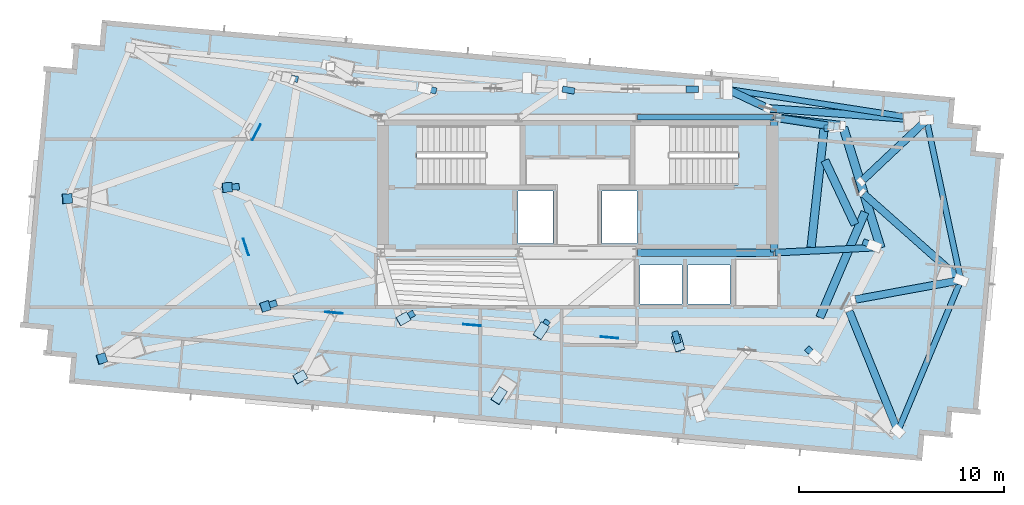
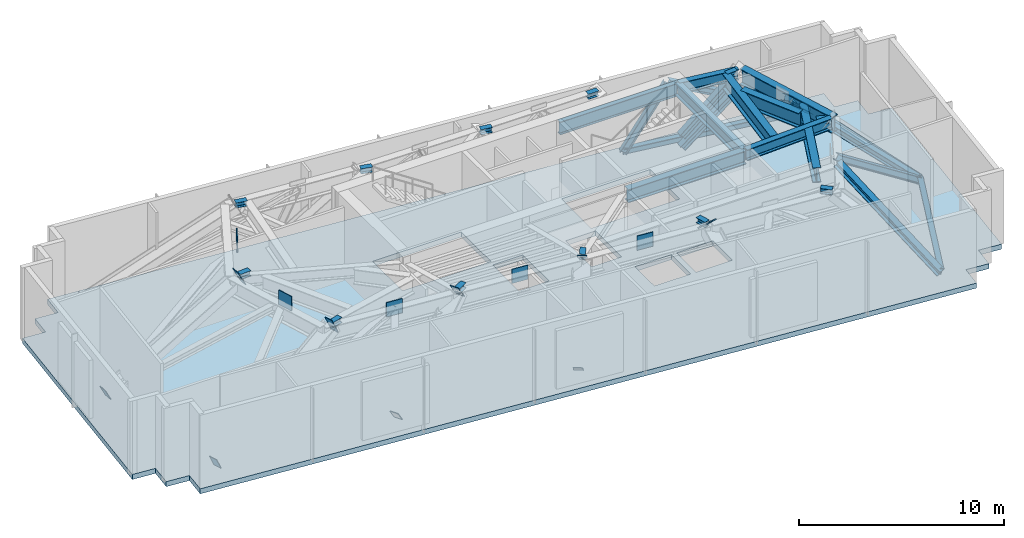
# One storey, part 3 of 9: 21 beams, 14 plates, 11 members, 1 slab.
"""IFC4 building model written with IfcOpenShell, lengths in metres."""

from ifc_helpers import new_model, si_unit, direction, frame, origin, origin_2d, place, context, subcontext, project, spatial, polyline, rectangle, i_section, outline, extrude, source, transform, mapped, material, layer, layer_set, material_profile, profile_set, type_object, type_shapes, element, save


model = new_model("IFC4")

# Units and contexts
model_context = context("Model", 3, precision=1e-05, world=origin(), true_north=direction((0.0, 1.0)))
body_context = subcontext(model_context, "Body", "Model", "MODEL_VIEW")
ifc_project = project(units=[si_unit("LENGTHUNIT", "METRE"), si_unit("AREAUNIT", "SQUARE_METRE"), si_unit("VOLUMEUNIT", "CUBIC_METRE"), si_unit("PLANEANGLEUNIT", "RADIAN"), si_unit("MASSUNIT", "GRAM", prefix="KILO")], contexts=[model_context])

# Site, building, storey
site_placement = place(None, origin())
site = spatial("IfcSite", under=ifc_project, at=site_placement, CompositionType="ELEMENT")
building_placement = place(site_placement, origin())
building = spatial("IfcBuilding", under=site, at=building_placement, Name="Astriad Promenade Condominiums", CompositionType="ELEMENT")
storey_placement = place(building_placement, frame((0.0, 0.0, 259.5)))
storey = spatial("IfcBuildingStorey", under=building, at=storey_placement, Name="L75", CompositionType="ELEMENT", Elevation=259.5)

# Beams
ifc_material_1 = material(Name="Steel ASTM A992 Grade 50", Category="steel")
ifc_material_profile_1 = material_profile(ifc_material_1, i_section(OverallWidth=0.3837890625, OverallDepth=0.785888671875, WebThickness=0.019775390625, FlangeThickness=0.033447265625, FilletRadius=0.021484375, at=origin_2d()), Name="W30X211")
ifc_profile_set_1 = profile_set([ifc_material_profile_1], Name="Steel ASTM A992 Grade 50")
beam_type_1 = type_object("IfcBeamType", Name="STEEL FLOOR GIRDER W30X211", PredefinedType="BEAM", material=ifc_profile_set_1)
shared_shape_1 = source(origin(), body_context, "Body", "SweptSolid", [
    extrude(i_section(OverallWidth=0.3837890625, OverallDepth=0.785888671875, WebThickness=0.019775390625, FlangeThickness=0.033447265625, FilletRadius=0.021484375, at=origin_2d()), origin(), (0.0, 0.0, 1.0), 6.64013671875),
])
type_shapes(beam_type_1, [shared_shape_1])
beam_1_placement = place(storey_placement, frame((38.919921875, 17.39990234375, 3.987060546875), z_axis=(1.0, 0.0, 0.0), x_axis=(0.0, 1.0, 0.0)))
element("IfcBeam", 1, at=beam_1_placement, inside=storey, type_object=beam_type_1, Name="Core Ring Beam CG-S3-L75", PredefinedType="BEAM", context=body_context, shape_type="MappedRepresentation", body=[
    mapped(shared_shape_1, transform((0.0, 0.0, 0.0), scale=1.0)),
])
ifc_material_profile_2 = material_profile(ifc_material_1, i_section(OverallWidth=0.267822265625, OverallDepth=0.76953125, WebThickness=0.015625, FlangeThickness=0.025390625, FilletRadius=0.021484375, at=origin_2d()), Name="W30X132")
ifc_profile_set_2 = profile_set([ifc_material_profile_2], Name="Steel ASTM A992 Grade 50")
beam_type_2 = type_object("IfcBeamType", Name="STEEL FLOOR GIRDER W30X132", PredefinedType="BEAM", material=ifc_profile_set_2)
shared_shape_2 = source(origin(), body_context, "Body", "SweptSolid", [
    extrude(i_section(OverallWidth=0.267822265625, OverallDepth=0.76953125, WebThickness=0.015625, FlangeThickness=0.025390625, FilletRadius=0.021484375, at=origin_2d()), origin(), (0.0, 0.0, 1.0), 6.64013671875),
])
type_shapes(beam_type_2, [shared_shape_2])
beam_2_placement = place(storey_placement, frame((38.919921875, 24.0, 3.9951171875), z_axis=(1.0, 0.0, 0.0), x_axis=(0.0, 1.0, 0.0)))
element("IfcBeam", 2, at=beam_2_placement, inside=storey, type_object=beam_type_2, Name="Core Ring Beam CG-N3-L75", PredefinedType="BEAM", context=body_context, shape_type="MappedRepresentation", body=[
    mapped(shared_shape_2, transform((0.0, 0.0, 0.0), scale=1.0)),
])
ifc_material_profile_3 = material_profile(ifc_material_1, i_section(OverallWidth=0.35791015625, OverallDepth=0.706298828125, WebThickness=0.018310546875, FlangeThickness=0.0302734375, FilletRadius=0.020263671875, at=origin_2d()), Name="W27X178")
ifc_profile_set_3 = profile_set([ifc_material_profile_3], Name="Steel ASTM A992 Grade 50")
beam_type_3 = type_object("IfcBeamType", Name="STEEL FLOOR GIRDER W27X178", PredefinedType="BEAM", material=ifc_profile_set_3)
shared_shape_3 = source(origin(), body_context, "Body", "SweptSolid", [
    extrude(i_section(OverallWidth=0.35791015625, OverallDepth=0.706298828125, WebThickness=0.018310546875, FlangeThickness=0.0302734375, FilletRadius=0.020263671875, at=origin_2d()), origin(), (0.0, 0.0, 1.0), 6.52001953125),
])
type_shapes(beam_type_3, [shared_shape_3])
beam_3_placement = place(storey_placement, frame((45.60009765625, 17.43994140625, 4.02685546875), z_axis=(0.0, 1.0, 0.0), x_axis=(-1.0, 0.0, 0.0)))
element("IfcBeam", 3, at=beam_3_placement, inside=storey, type_object=beam_type_3, Name="Core Ring Beam CG-E1-L75", PredefinedType="BEAM", context=body_context, shape_type="MappedRepresentation", body=[
    mapped(shared_shape_3, transform((0.0, 0.0, 0.0), scale=1.0)),
])
ifc_material_profile_4 = material_profile(ifc_material_1, i_section(OverallWidth=0.3046875, OverallDepth=0.307861328125, WebThickness=0.010009765625, FlangeThickness=0.015380859375, FilletRadius=0.01513671875, at=origin_2d()), Name="W12X65")
ifc_profile_set_4 = profile_set([ifc_material_profile_4], Name="Steel ASTM A992 Grade 50")
beam_type_4 = type_object("IfcBeamType", Name="STEEL TRANSFER SPLICE HEADER W12X65", PredefinedType="LINTEL", material=ifc_profile_set_4)
shared_shape_4 = source(origin(), body_context, "Body", "SweptSolid", [
    extrude(i_section(OverallWidth=0.3046875, OverallDepth=0.307861328125, WebThickness=0.010009765625, FlangeThickness=0.015380859375, FilletRadius=0.01513671875, at=origin_2d()), origin(), (0.0, 0.0, 1.0), 0.6015625),
])
for number, where, z_axis, x_axis, name in (
    (4, (20.743408203125, 14.768310546875, 4.22607421875), (0.952936439657, 0.303170153502, 0.0), (-0.303170153502, 0.952936439657, 0.0), "Column Transfer Splice Header SPL-PC01-L75"),
    (5, (47.62890625, 12.3388671875, 4.22607421875), (-0.738634842886, 0.674105754963, 0.0), (-0.674105754963, -0.738634842886, 0.0), "Column Transfer Splice Header SPL-PC05-L75"),
    (6, (28.523193359375, 25.428466796875, 4.22607421875), (0.973075497671, -0.230486606621, 0.0), (0.230486606621, 0.973075497671, 0.0), "Column Transfer Splice Header SPL-PC07-L75"),
    (7, (35.261474609375, 25.38671875, 4.22607421875), (0.98578400767, -0.168017529508, 0.0), (0.168017529508, 0.98578400767, 0.0), "Column Transfer Splice Header SPL-PC08-L75"),
    (8, (50.4951171875, 17.717529296875, 4.22607421875), (-0.930726823416, 0.365715162625, 0.0), (-0.365715162625, -0.930726823416, 0.0), "Column Transfer Splice Header SPL-PC12-L75"),
):
    element("IfcBeam", number, at=place(storey_placement, frame(where, z_axis=z_axis, x_axis=x_axis)), inside=storey, type_object=beam_type_4, Name=name, PredefinedType="LINTEL", context=body_context, shape_type="MappedRepresentation", body=[
        mapped(shared_shape_4, transform((0.0, 0.0, 0.0), scale=1.0)),
    ])
shared_shape_5 = source(origin(), body_context, "Body", "SweptSolid", [
    extrude(i_section(OverallWidth=0.3046875, OverallDepth=0.307861328125, WebThickness=0.010009765625, FlangeThickness=0.015380859375, FilletRadius=0.01513671875, at=origin_2d()), origin(), (0.0, 0.0, 1.0), 0.601318359375),
])
type_shapes(beam_type_4, [shared_shape_4, shared_shape_5])
for number, where, z_axis, x_axis, name in (
    (9, (27.4921875, 14.168701171875, 4.22607421875), (0.871250073076, 0.490839393452, 0.0), (-0.490839393452, 0.871250073076, 0.0), "Column Transfer Splice Header SPL-PC02-L75"),
    (10, (34.220947265625, 13.581298828125, 4.22607421875), (0.543974857906, 0.839101515889, 0.0), (-0.839101515889, 0.543974857906, 0.0), "Column Transfer Splice Header SPL-PC03-L75"),
    (11, (40.910400390625, 12.9755859375, 4.22607421875), (-0.282539930054, 0.959255538387, 0.0), (-0.959255538387, -0.282539930054, 0.0), "Column Transfer Splice Header SPL-PC04-L75"),
    (12, (21.768310546875, 25.966796875, 4.22607421875), (0.982483961324, -0.186347164565, 0.0), (0.186347164565, 0.982483961324, 0.0), "Column Transfer Splice Header SPL-PC06-L75"),
    (13, (41.900390625, 25.3798828125, 4.22607421875), (-1.0, 0.0, 0.0), (0.0, -1.0, 0.0), "Column Transfer Splice Header SPL-PC09-L75"),
    (14, (48.630859375, 23.51611328125, 4.22607421875), (-0.996632005472, -0.082003936906, 0.0), (0.082003936906, -0.996632005472, 0.0), "Column Transfer Splice Header SPL-PC10-L75"),
    (15, (18.887939453125, 20.584228515625, 4.22607421875), (0.997530319782, 0.070237177583, 0.0), (-0.070237177583, 0.997530319782, 0.0), "Column Transfer Splice Header SPL-PC11-L75"),
):
    element("IfcBeam", number, at=place(storey_placement, frame(where, z_axis=z_axis, x_axis=x_axis)), inside=storey, type_object=beam_type_4, Name=name, PredefinedType="LINTEL", context=body_context, shape_type="MappedRepresentation", body=[
        mapped(shared_shape_5, transform((0.0, 0.0, 0.0), scale=1.0)),
    ])
ifc_material_profile_5 = material_profile(ifc_material_1, i_section(OverallWidth=0.423095703125, OverallDepth=0.9482421875, WebThickness=0.02392578125, FlangeThickness=0.042724609375, FilletRadius=0.024169921875, at=origin_2d()), Name="W36X302")
ifc_profile_set_5 = profile_set([ifc_material_profile_5], Name="Steel ASTM A992 Grade 50")
beam_type_5 = type_object("IfcBeamType", Name="STEEL PERIMETER RING GIRDER W36X302", PredefinedType="BEAM", material=ifc_profile_set_5)
shared_shape_6 = source(origin(), body_context, "Body", "SweptSolid", [
    extrude(i_section(OverallWidth=0.423095703125, OverallDepth=0.9482421875, WebThickness=0.02392578125, FlangeThickness=0.042724609375, FilletRadius=0.024169921875, at=origin_2d()), origin(), (0.0, 0.0, 1.0), 6.150390625),
])
type_shapes(beam_type_5, [shared_shape_6])
beam_4_placement = place(storey_placement, frame((50.799072265625, 17.631591796875, 3.906005859375), z_axis=(-0.296642672369, 0.954988547015, 0.0), x_axis=(-0.954988547015, -0.296642672369, 0.0)))
element("IfcBeam", 16, at=beam_4_placement, inside=storey, type_object=beam_type_5, Name="Perimeter Spandrel Beam SP-E2-L75", PredefinedType="BEAM", context=body_context, shape_type="MappedRepresentation", body=[
    mapped(shared_shape_6, transform((0.0, 0.0, 0.0), scale=1.0)),
])
ifc_material_profile_6 = material_profile(ifc_material_1, i_section(OverallWidth=0.327392578125, OverallDepth=0.640625, WebThickness=0.01904296875, FlangeThickness=0.033935546875, FilletRadius=0.017822265625, at=origin_2d()), Name="W24X176")
ifc_profile_set_6 = profile_set([ifc_material_profile_6], Name="Steel ASTM A992 Grade 50")
beam_type_6 = type_object("IfcBeamType", Name="STEEL FLOOR GIRDER W24X176", PredefinedType="BEAM", material=ifc_profile_set_6)
shared_shape_7 = source(origin(), body_context, "Body", "SweptSolid", [
    extrude(i_section(OverallWidth=0.327392578125, OverallDepth=0.640625, WebThickness=0.01904296875, FlangeThickness=0.033935546875, FilletRadius=0.017822265625, at=origin_2d()), origin(), (0.0, 0.0, 1.0), 4.976806640625),
])
type_shapes(beam_type_6, [shared_shape_7])
beam_5_placement = place(storey_placement, frame((50.6103515625, 17.654296875, 4.059814453125), z_axis=(-0.998715245368, -0.050674043345, 0.0), x_axis=(0.050674043345, -0.998715245368, 0.0)))
element("IfcBeam", 17, at=beam_5_placement, inside=storey, type_object=beam_type_6, Name="Primary Floor Girder PG-EM-L75", PredefinedType="BEAM", context=body_context, shape_type="MappedRepresentation", body=[
    mapped(shared_shape_7, transform((0.0, 0.0, 0.0), scale=1.0)),
])
ifc_material_profile_7 = material_profile(ifc_material_1, i_section(OverallWidth=0.326416015625, OverallDepth=0.621826171875, WebThickness=0.015380859375, FlangeThickness=0.0244140625, FilletRadius=0.017822265625, at=origin_2d()), Name="W24X131")
ifc_profile_set_7 = profile_set([ifc_material_profile_7], Name="Steel ASTM A992 Grade 50")
beam_type_7 = type_object("IfcBeamType", Name="STEEL FLOOR GIRDER W24X131", PredefinedType="BEAM", material=ifc_profile_set_7)
shared_shape_8 = source(origin(), body_context, "Body", "SweptSolid", [
    extrude(i_section(OverallWidth=0.326416015625, OverallDepth=0.621826171875, WebThickness=0.015380859375, FlangeThickness=0.0244140625, FilletRadius=0.017822265625, at=origin_2d()), origin(), (0.0, 0.0, 1.0), 3.13916015625),
])
type_shapes(beam_type_7, [shared_shape_8])
beam_6_placement = place(storey_placement, frame((48.7451171875, 23.53466796875, 4.069091796875), z_axis=(-0.989231003534, 0.146362637473, 0.0), x_axis=(-0.146362637473, -0.989231003534, 0.0)))
element("IfcBeam", 18, at=beam_6_placement, inside=storey, type_object=beam_type_7, Name="Primary Floor Girder PG-NE-L75", PredefinedType="BEAM", context=body_context, shape_type="MappedRepresentation", body=[
    mapped(shared_shape_8, transform((0.0, 0.0, 0.0), scale=1.0)),
])
ifc_material_profile_8 = material_profile(ifc_material_1, i_section(OverallWidth=0.4013671875, OverallDepth=0.877197265625, WebThickness=0.022216796875, FlangeThickness=0.039794921875, FilletRadius=0.02294921875, at=origin_2d()), Name="W33X263")
ifc_profile_set_8 = profile_set([ifc_material_profile_8], Name="Steel ASTM A992 Grade 50")
beam_type_8 = type_object("IfcBeamType", Name="STEEL TRANSFER CARRIER GIRDER W33X263", PredefinedType="BEAM", material=ifc_profile_set_8)
shared_shape_9 = source(origin(), body_context, "Body", "SweptSolid", [
    extrude(i_section(OverallWidth=0.4013671875, OverallDepth=0.877197265625, WebThickness=0.022216796875, FlangeThickness=0.039794921875, FilletRadius=0.02294921875, at=origin_2d()), origin(), (0.0, 0.0, 1.0), 5.590576171875),
])
beam_7_placement = place(storey_placement, frame((50.028076171875, 19.37841796875, 3.94140625), z_axis=(-0.393950921759, -0.919131476583, 0.0), x_axis=(0.919131476583, -0.393950921759, 0.0)))
element("IfcBeam", 19, at=beam_7_placement, inside=storey, type_object=beam_type_8, Name="Transfer Splice Carrier TRM-SP-PC05-L75", PredefinedType="BEAM", context=body_context, shape_type="MappedRepresentation", body=[
    mapped(shared_shape_9, transform((0.0, 0.0, 0.0), scale=1.0)),
])
shared_shape_10 = source(origin(), body_context, "Body", "SweptSolid", [
    extrude(i_section(OverallWidth=0.4013671875, OverallDepth=0.877197265625, WebThickness=0.022216796875, FlangeThickness=0.039794921875, FilletRadius=0.02294921875, at=origin_2d()), origin(), (0.0, 0.0, 1.0), 5.83447265625),
])
beam_8_placement = place(storey_placement, frame((47.398681640625, 17.6650390625, 3.94140625), z_axis=(0.108419691112, 0.994105211021, 0.0), x_axis=(-0.994105211021, 0.108419691112, 0.0)))
element("IfcBeam", 20, at=beam_8_placement, inside=storey, type_object=beam_type_8, Name="Transfer Splice Carrier TRM-SP-PC10-L75", PredefinedType="BEAM", context=body_context, shape_type="MappedRepresentation", body=[
    mapped(shared_shape_10, transform((0.0, 0.0, 0.0), scale=1.0)),
])
shared_shape_11 = source(origin(), body_context, "Body", "SweptSolid", [
    extrude(i_section(OverallWidth=0.4013671875, OverallDepth=0.877197265625, WebThickness=0.022216796875, FlangeThickness=0.039794921875, FilletRadius=0.02294921875, at=origin_2d()), origin(), (0.0, 0.0, 1.0), 3.4609375),
])
type_shapes(beam_type_8, [shared_shape_9, shared_shape_10, shared_shape_11])
beam_9_placement = place(storey_placement, frame((48.068115234375, 21.904052734375, 3.94140625), z_axis=(0.425868377408, -0.904785126493, 0.0), x_axis=(0.904785126493, 0.425868377408, 0.0)))
element("IfcBeam", 21, at=beam_9_placement, inside=storey, type_object=beam_type_8, Name="Transfer Splice Carrier TRM-SP-PC12-L75", PredefinedType="BEAM", context=body_context, shape_type="MappedRepresentation", body=[
    mapped(shared_shape_11, transform((0.0, 0.0, 0.0), scale=1.0)),
])

# Members
ifc_material_profile_9 = material_profile(ifc_material_1, i_section(OverallWidth=0.283447265625, OverallDepth=0.489013671875, WebThickness=0.01708984375, FlangeThickness=0.030517578125, FilletRadius=0.01513671875, at=origin_2d()), Name="W18X130")
ifc_profile_set_9 = profile_set([ifc_material_profile_9], Name="Steel ASTM A992 Grade 50")
member_type_1 = type_object("IfcMemberType", Name="STEEL BELT TRUSS CHORD W18X130", PredefinedType="CHORD", material=ifc_profile_set_9)
shared_shape_12 = source(origin(), body_context, "Body", "SweptSolid", [
    extrude(i_section(OverallWidth=0.283447265625, OverallDepth=0.489013671875, WebThickness=0.01708984375, FlangeThickness=0.030517578125, FilletRadius=0.01513671875, at=origin_2d()), origin(), (0.0, 0.0, 1.0), 9.787109375),
])
member_1_placement = place(storey_placement, frame((43.336181640625, 25.376220703125, 0.139892578125), z_axis=(0.988281838095, -0.152640127399, 0.0), x_axis=(0.152640127399, 0.988281838095, 0.0)))
element("IfcMember", 22, at=member_1_placement, inside=storey, type_object=member_type_1, Name="Belt Truss Chord L75-08", PredefinedType="CHORD", context=body_context, shape_type="MappedRepresentation", body=[
    mapped(shared_shape_12, transform((0.0, 0.0, 0.0), scale=1.0)),
])
ifc_material_profile_10 = material_profile(ifc_material_1, i_section(OverallWidth=0.368896484375, OverallDepth=0.356201171875, WebThickness=0.01123046875, FlangeThickness=0.01806640625, FilletRadius=0.017822265625, at=origin_2d()), Name="W14X90")
ifc_profile_set_10 = profile_set([ifc_material_profile_10], Name="Steel ASTM A992 Grade 50")
member_type_2 = type_object("IfcMemberType", Name="STEEL BELT TRUSS DIAGONAL W14X90", PredefinedType="BRACE", material=ifc_profile_set_10)
shared_shape_13 = source(origin(), body_context, "Body", "SweptSolid", [
    extrude(i_section(OverallWidth=0.368896484375, OverallDepth=0.356201171875, WebThickness=0.01123046875, FlangeThickness=0.01806640625, FilletRadius=0.017822265625, at=origin_2d()), origin(), (0.0, 0.0, 1.0), 4.560791015625),
])
member_2_placement = place(storey_placement, frame((43.322021484375, 25.375, 0.162109375), z_axis=(0.428782193231, -0.202025467822, 0.880529125651), x_axis=(0.426221220129, 0.90461896482, 0.0)))
element("IfcMember", 23, at=member_2_placement, inside=storey, type_object=member_type_2, Name="Belt Truss Diagonal L75-08A", PredefinedType="BRACE", context=body_context, shape_type="MappedRepresentation", body=[
    mapped(shared_shape_13, transform((0.0, 0.0, 0.0), scale=1.0)),
])
shared_shape_14 = source(origin(), body_context, "Body", "SweptSolid", [
    extrude(i_section(OverallWidth=0.368896484375, OverallDepth=0.356201171875, WebThickness=0.01123046875, FlangeThickness=0.01806640625, FilletRadius=0.017822265625, at=origin_2d()), origin(), (0.0, 0.0, 1.0), 8.71337890625),
])
member_3_placement = place(storey_placement, frame((53.01123046875, 23.880126953125, 0.151611328125), z_axis=(-0.883811003795, 0.065060683854, 0.463298194457), x_axis=(-0.073415147778, -0.997301466998, 0.0)))
element("IfcMember", 24, at=member_3_placement, inside=storey, type_object=member_type_2, Name="Belt Truss Diagonal L75-08B", PredefinedType="BRACE", context=body_context, shape_type="MappedRepresentation", body=[
    mapped(shared_shape_14, transform((0.0, 0.0, 0.0), scale=1.0)),
])
shared_shape_15 = source(origin(), body_context, "Body", "SweptSolid", [
    extrude(i_section(OverallWidth=0.283447265625, OverallDepth=0.489013671875, WebThickness=0.01708984375, FlangeThickness=0.030517578125, FilletRadius=0.01513671875, at=origin_2d()), origin(), (0.0, 0.0, 1.0), 7.940673828125),
])
member_4_placement = place(storey_placement, frame((51.644775390625, 8.707763671875, 0.139892578125), z_axis=(0.384752917763, 0.923019605574, 0.0), x_axis=(-0.923019605574, 0.384752917763, 0.0)))
element("IfcMember", 25, at=member_4_placement, inside=storey, type_object=member_type_1, Name="Belt Truss Chord L75-11", PredefinedType="CHORD", context=body_context, shape_type="MappedRepresentation", body=[
    mapped(shared_shape_15, transform((0.0, 0.0, 0.0), scale=1.0)),
])
shared_shape_16 = source(origin(), body_context, "Body", "SweptSolid", [
    extrude(i_section(OverallWidth=0.368896484375, OverallDepth=0.356201171875, WebThickness=0.01123046875, FlangeThickness=0.01806640625, FilletRadius=0.017822265625, at=origin_2d()), origin(), (0.0, 0.0, 1.0), 7.43115234375),
])
member_5_placement = place(storey_placement, frame((51.627197265625, 8.70458984375, 0.15283203125), z_axis=(-0.322884923981, 0.797093409201, 0.510281709328), x_axis=(-0.926844920788, -0.375444393764, 0.0)))
element("IfcMember", 26, at=member_5_placement, inside=storey, type_object=member_type_2, Name="Belt Truss Diagonal L75-11A", PredefinedType="BRACE", context=body_context, shape_type="MappedRepresentation", body=[
    mapped(shared_shape_16, transform((0.0, 0.0, 0.0), scale=1.0)),
])
shared_shape_17 = source(origin(), body_context, "Body", "SweptSolid", [
    extrude(i_section(OverallWidth=0.368896484375, OverallDepth=0.356201171875, WebThickness=0.01123046875, FlangeThickness=0.01806640625, FilletRadius=0.017822265625, at=origin_2d()), origin(), (0.0, 0.0, 1.0), 6.503173828125),
])
member_6_placement = place(storey_placement, frame((54.689453125, 16.056396484375, 0.154296875), z_axis=(-0.80290152706, -0.147050324098, 0.577689657193), x_axis=(0.180152103687, -0.983638764759, 0.0)))
element("IfcMember", 27, at=member_6_placement, inside=storey, type_object=member_type_2, Name="Belt Truss Diagonal L75-11B", PredefinedType="BRACE", context=body_context, shape_type="MappedRepresentation", body=[
    mapped(shared_shape_17, transform((0.0, 0.0, 0.0), scale=1.0)),
])
shared_shape_18 = source(origin(), body_context, "Body", "SweptSolid", [
    extrude(i_section(OverallWidth=0.283447265625, OverallDepth=0.489013671875, WebThickness=0.01708984375, FlangeThickness=0.030517578125, FilletRadius=0.01513671875, at=origin_2d()), origin(), (0.0, 0.0, 1.0), 7.94580078125),
])
type_shapes(member_type_1, [shared_shape_12, shared_shape_15, shared_shape_18])
member_7_placement = place(storey_placement, frame((54.704345703125, 16.084716796875, 0.139892578125), z_axis=(-0.20964029881, 0.977778576731, 0.0), x_axis=(-0.977778576731, -0.20964029881, 0.0)))
element("IfcMember", 28, at=member_7_placement, inside=storey, type_object=member_type_1, Name="Belt Truss Chord L75-12", PredefinedType="CHORD", context=body_context, shape_type="MappedRepresentation", body=[
    mapped(shared_shape_18, transform((0.0, 0.0, 0.0), scale=1.0)),
])
shared_shape_19 = source(origin(), body_context, "Body", "SweptSolid", [
    extrude(i_section(OverallWidth=0.368896484375, OverallDepth=0.356201171875, WebThickness=0.01123046875, FlangeThickness=0.01806640625, FilletRadius=0.017822265625, at=origin_2d()), origin(), (0.0, 0.0, 1.0), 7.451171875),
])
member_8_placement = place(storey_placement, frame((54.693603515625, 16.074462890625, 0.152587890625), z_axis=(-0.643996734313, 0.571094534677, 0.509037561144), x_axis=(-0.663489180583, -0.748185877473, 0.0)))
element("IfcMember", 29, at=member_8_placement, inside=storey, type_object=member_type_2, Name="Belt Truss Diagonal L75-12A", PredefinedType="BRACE", context=body_context, shape_type="MappedRepresentation", body=[
    mapped(shared_shape_19, transform((0.0, 0.0, 0.0), scale=1.0)),
])
shared_shape_20 = source(origin(), body_context, "Body", "SweptSolid", [
    extrude(i_section(OverallWidth=0.368896484375, OverallDepth=0.356201171875, WebThickness=0.01123046875, FlangeThickness=0.01806640625, FilletRadius=0.017822265625, at=origin_2d()), origin(), (0.0, 0.0, 1.0), 5.728515625),
])
type_shapes(member_type_2, [shared_shape_13, shared_shape_14, shared_shape_16, shared_shape_17, shared_shape_19, shared_shape_20])
member_9_placement = place(storey_placement, frame((53.01953125, 23.865478515625, 0.15625), z_axis=(-0.553362977208, -0.521782419128, 0.649255360042), x_axis=(0.686040837427, -0.727563034645, 0.0)))
element("IfcMember", 30, at=member_9_placement, inside=storey, type_object=member_type_2, Name="Belt Truss Diagonal L75-12B", PredefinedType="BRACE", context=body_context, shape_type="MappedRepresentation", body=[
    mapped(shared_shape_20, transform((0.0, 0.0, 0.0), scale=1.0)),
])
ifc_material_profile_11 = material_profile(ifc_material_1, i_section(OverallWidth=0.37255859375, OverallDepth=0.367919921875, WebThickness=0.014892578125, FlangeThickness=0.02392578125, FilletRadius=0.017822265625, at=origin_2d()), Name="W14X120")
ifc_profile_set_11 = profile_set([ifc_material_profile_11], Name="Steel ASTM A992 Grade 50")
member_type_3 = type_object("IfcMemberType", Name="STEEL OUTRIGGER DIAGONAL W14X120", PredefinedType="BRACE", material=ifc_profile_set_11)
shared_shape_21 = source(origin(), body_context, "Body", "SweptSolid", [
    extrude(i_section(OverallWidth=0.37255859375, OverallDepth=0.367919921875, WebThickness=0.014892578125, FlangeThickness=0.02392578125, FilletRadius=0.017822265625, at=origin_2d()), origin(), (0.0, 0.0, 1.0), 4.215576171875),
])
member_10_placement = place(storey_placement, frame((45.8076171875, 23.97607421875, 0.426513671875), z_axis=(0.741173454546, -0.085190354089, 0.665886261945), x_axis=(0.114188030765, 0.993459155492, 0.0)))
element("IfcMember", 31, at=member_10_placement, inside=storey, type_object=member_type_3, Name="Outrigger Truss Diagonal L75-02A", PredefinedType="BRACE", context=body_context, shape_type="MappedRepresentation", body=[
    mapped(shared_shape_21, transform((0.0, 0.0, 0.0), scale=1.0)),
])
shared_shape_22 = source(origin(), body_context, "Body", "SweptSolid", [
    extrude(i_section(OverallWidth=0.37255859375, OverallDepth=0.367919921875, WebThickness=0.014892578125, FlangeThickness=0.02392578125, FilletRadius=0.017822265625, at=origin_2d()), origin(), (0.0, 0.0, 1.0), 3.7001953125),
])
type_shapes(member_type_3, [shared_shape_21, shared_shape_22])
member_11_placement = place(storey_placement, frame((45.793212890625, 23.97021484375, 1.120361328125), z_axis=(0.69053533342, -0.106094096707, 0.715475363616), x_axis=(0.151858476419, 0.98840224764, 0.0)))
element("IfcMember", 32, at=member_11_placement, inside=storey, type_object=member_type_3, Name="Outrigger Truss Diagonal L75-02B", PredefinedType="BRACE", context=body_context, shape_type="MappedRepresentation", body=[
    mapped(shared_shape_22, transform((0.0, 0.0, 0.0), scale=1.0)),
])

# Slab
ifc_material_2 = material(Name="Concrete C50/60", Category="concrete")
ifc_layer_1 = layer(ifc_material_2, 0.300048828125)
ifc_layer_set_1 = layer_set([ifc_layer_1], Name="Concrete C50/60")
slab_type = type_object("IfcSlabType", Name="CONCRETE PODIUM AND PLANT FLOOR SLAB 300", PredefinedType="FLOOR", material=ifc_layer_set_1)
slab_placement = place(storey_placement, frame((0.0, 0.0, -0.300048828125)))
element("IfcSlab", 33, at=slab_placement, inside=storey, type_object=slab_type, Name="Structural Floor Slab (L75)", PredefinedType="FLOOR", context=body_context, shape_type="SweptSolid", body=[
    extrude(outline(polyline([(11.179443359375, 11.03076171875), (52.807373046875, 7.242431640625), (52.920654296875, 8.4873046875), (54.16552734375, 8.3740234375), (54.27880859375, 9.618896484375), (55.523681640625, 9.505615234375), (56.68359375, 22.2529296875), (55.43896484375, 22.3662109375), (55.55224609375, 23.611083984375), (54.307373046875, 23.724365234375), (54.420654296875, 24.96923828125), (12.79248046875, 28.757568359375), (12.679443359375, 27.5126953125), (11.4345703125, 27.6259765625), (11.3212890625, 26.381103515625), (10.076416015625, 26.494384765625), (8.916259765625, 13.7470703125), (10.1611328125, 13.6337890625), (10.0478515625, 12.388916015625), (11.292724609375, 12.275634765625), (11.179443359375, 11.03076171875)]), holes=[polyline([(28.175048828125, 20.699951171875), (33.175048828125, 20.699951171875), (33.175048828125, 23.60009765625), (28.175048828125, 23.60009765625), (28.175048828125, 20.699951171875)]), polyline([(38.824951171875, 20.699951171875), (43.824951171875, 20.699951171875), (43.824951171875, 23.60009765625), (38.824951171875, 23.60009765625), (38.824951171875, 20.699951171875)]), polyline([(33.10009765625, 17.85009765625), (34.800048828125, 17.85009765625), (34.800048828125, 20.39990234375), (33.10009765625, 20.39990234375), (33.10009765625, 17.85009765625)]), polyline([(37.199951171875, 17.85009765625), (38.89990234375, 17.85009765625), (38.89990234375, 20.39990234375), (37.199951171875, 20.39990234375), (37.199951171875, 17.85009765625)]), polyline([(39.050048828125, 14.89990234375), (41.10009765625, 14.89990234375), (41.10009765625, 16.800048828125), (39.050048828125, 16.800048828125), (39.050048828125, 14.89990234375)]), polyline([(41.39990234375, 14.89990234375), (43.449951171875, 14.89990234375), (43.449951171875, 16.800048828125), (41.39990234375, 16.800048828125), (41.39990234375, 14.89990234375)])]), origin(), (0.0, 0.0, 1.0), 0.300048828125),
])

# Plates
ifc_material_3 = material(Name="Steel ASTM A572 Grade 50", Category="steel")
ifc_layer_2 = layer(ifc_material_3, 0.02490234375)
ifc_layer_set_2 = layer_set([ifc_layer_2], Name="Steel ASTM A572 Grade 50")
plate_type_1 = type_object("IfcPlateType", Name="STEEL HOLLOW SECTION END CAP PLATE 30", PredefinedType="USERDEFINED", material=ifc_layer_set_2)
shared_shape_23 = source(origin(), body_context, "Body", "SweptSolid", [
    extrude(rectangle(XDim=0.467529296875, YDim=1.015625, at=origin_2d()), origin(), (0.0, 0.0, 1.0), 0.02490234375),
])
type_shapes(plate_type_1, [shared_shape_23])
for number, where, z_axis, x_axis, name in (
    (34, (12.770751953125, 12.230224609375, 0.1943359375), (0.86044902391, 0.273945497971, 0.429629306955), (-0.303370847762, 0.952872566888, 0.0), "Hollow Section End Cap Plate COL-PC01-L75-A"),
    (35, (20.743408203125, 14.768310546875, 4.175048828125), (0.86044902391, 0.273945497971, 0.429629306955), (-0.303370847762, 0.952872566888, 0.0), "Hollow Section End Cap Plate COL-PC01-L75-B"),
    (36, (22.458251953125, 11.3310546875, 0.17333984375), (0.715171719925, 0.403094972958, 0.57100249894), (-0.491011385871, 0.871153154701, 0.0), "Hollow Section End Cap Plate COL-PC02-L75-A"),
    (37, (27.4921875, 14.16845703125, 4.192626953125), (0.715171719925, 0.403094972958, 0.57100249894), (-0.491011385871, 0.871153154701, 0.0), "Hollow Section End Cap Plate COL-PC02-L75-B"),
    (38, (32.169921875, 10.419189453125, 0.138671875), (0.369043394921, 0.568964493878, 0.734905692842), (-0.838971152997, 0.54417589476, 0.0), "Hollow Section End Cap Plate COL-PC03-L75-A"),
    (39, (34.220947265625, 13.581298828125, 4.22314453125), (0.369043394921, 0.568964493878, 0.734905692842), (-0.838971152997, 0.54417589476, 0.0), "Hollow Section End Cap Plate COL-PC03-L75-B"),
    (40, (40.91064453125, 12.9755859375, 4.22705078125), (-0.186480741923, 0.633012759738, 0.751345312689), (-0.959242134667, -0.282585433239, 0.0), "Hollow Section End Cap Plate COL-PC04-L75-B"),
    (41, (11.08544921875, 20.036376953125, 0.191162109375), (0.888766226072, 0.062404631005, 0.454092785037), (-0.070042452248, 0.997544011502, 0.0), "Hollow Section End Cap Plate COL-PC11-L75-A"),
    (42, (18.887939453125, 20.58447265625, 4.177734375), (0.888766226072, 0.062404631005, 0.454092785037), (-0.070042452248, 0.997544011502, 0.0), "Hollow Section End Cap Plate COL-PC11-L75-B"),
):
    element("IfcPlate", number, at=place(storey_placement, frame(where, z_axis=z_axis, x_axis=x_axis)), inside=storey, type_object=plate_type_1, Name=name, ObjectType="STIFFENER_PLATE", PredefinedType="USERDEFINED", context=body_context, shape_type="MappedRepresentation", body=[
        mapped(shared_shape_23, transform((0.0, 0.0, 0.0), scale=1.0)),
    ])
ifc_layer_3 = layer(ifc_material_3, 0.0400390625)
ifc_layer_set_3 = layer_set([ifc_layer_3], Name="Steel ASTM A572 Grade 50")
plate_type_2 = type_object("IfcPlateType", Name="STEEL TRUSS NODE GUSSET PLATE 40", PredefinedType="USERDEFINED", material=ifc_layer_set_3)
shared_shape_24 = source(origin(), body_context, "Body", "SweptSolid", [
    extrude(rectangle(XDim=0.85009765625, YDim=0.0400390625, at=origin_2d()), origin(), (0.0, 0.0, 1.0), 0.85009765625),
])
type_shapes(plate_type_2, [shared_shape_24])
for number, where, z_axis, x_axis, name in (
    (43, (24.117919921875, 14.468505859375, 3.77490234375), (0.0, 0.0, 1.0), (0.996072034691, -0.088546607536, 0.0), "Truss Gusset Plate GP-BELT-L75-01"),
    (44, (30.850830078125, 13.865966796875, 3.77490234375), (0.0, 0.0, 1.0), (0.995963111248, -0.089763472712, 0.0), "Truss Gusset Plate GP-BELT-L75-02"),
    (45, (37.563232421875, 13.25830078125, 3.77490234375), (0.0, 0.0, 1.0), (0.995884398616, -0.090632580198, 0.0), "Truss Gusset Plate GP-BELT-L75-03"),
    (46, (19.815673828125, 17.67626953125, 3.77490234375), (0.0, 0.0, 1.0), (-0.303866785501, 0.952714530523, 0.0), "Truss Gusset Plate GP-BELT-L75-09"),
    (47, (20.327880859375, 23.275634765625, 3.77490234375), (0.0, 0.0, 1.0), (0.471781502685, 0.881715494774, 0.0), "Truss Gusset Plate GP-BELT-L75-10"),
):
    element("IfcPlate", number, at=place(storey_placement, frame(where, z_axis=z_axis, x_axis=x_axis)), inside=storey, type_object=plate_type_2, Name=name, ObjectType="GUSSET_PLATE", PredefinedType="USERDEFINED", context=body_context, shape_type="MappedRepresentation", body=[
        mapped(shared_shape_24, transform((0.0, 0.0, 0.0), scale=1.0)),
    ])

save(model, "model.ifc")
